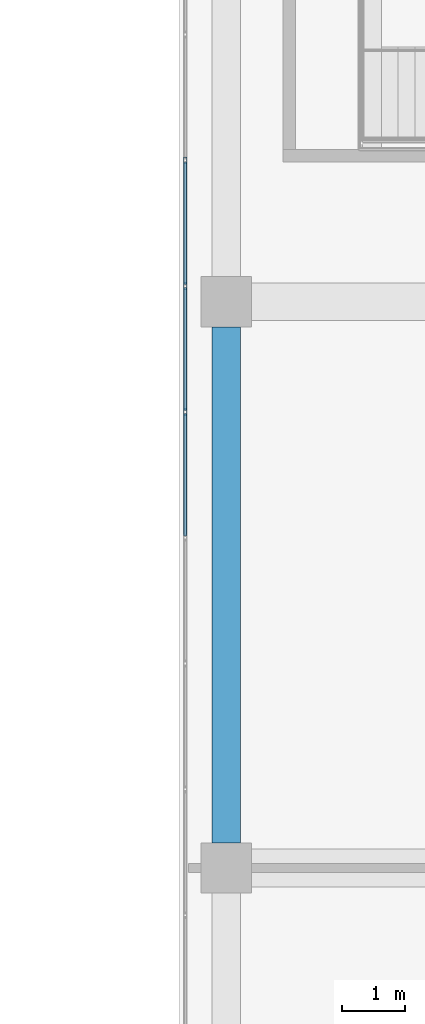
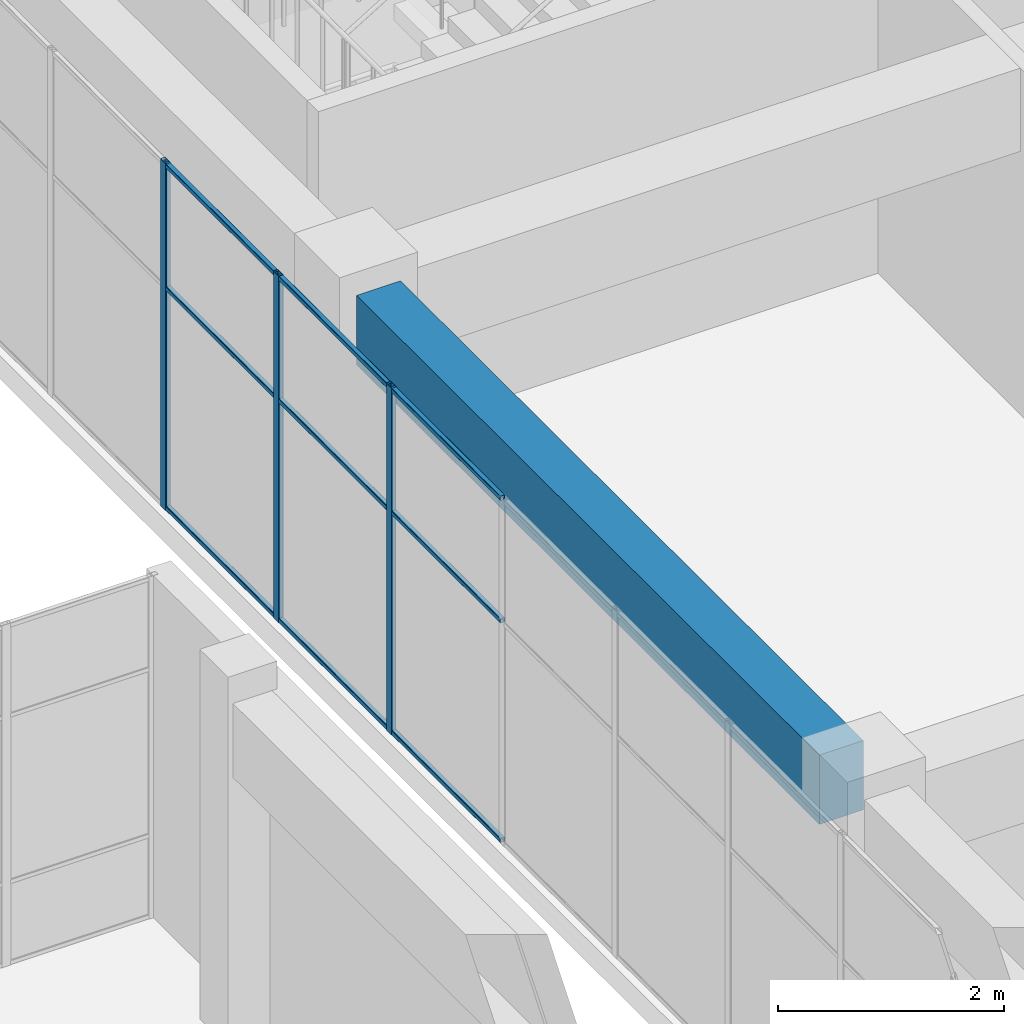
# One storey, part 27 of 65: 12 members, 1 beam, 1 element without a shape of its own.
"""IFC4 building model written with IfcOpenShell, lengths in metres."""

from ifc_helpers import new_model, si_unit, direction, frame, origin, origin_2d, place, context, subcontext, project, spatial, rectangle, hollow_rectangle, extrude, material, layer, layer_set, material_profile, profile_set, type_object, element, aggregate, save


model = new_model("IFC4")

# Units and contexts
model_context = context("Model", 3, precision=1e-05, world=origin(), true_north=direction((0.0, 1.0)))
body_context = subcontext(model_context, "Body", "Model", "MODEL_VIEW")
ifc_project = project(units=[si_unit("LENGTHUNIT", "METRE"), si_unit("AREAUNIT", "SQUARE_METRE"), si_unit("VOLUMEUNIT", "CUBIC_METRE"), si_unit("PLANEANGLEUNIT", "RADIAN"), si_unit("MASSUNIT", "GRAM", prefix="KILO")], contexts=[model_context])

# Site, building, storey
site_placement = place(None, origin())
site = spatial("IfcSite", under=ifc_project, at=site_placement, CompositionType="ELEMENT")
building_placement = place(site_placement, origin())
building = spatial("IfcBuilding", under=site, at=building_placement, Name="Tuart Plaza Theatre", CompositionType="ELEMENT")
storey_placement = place(building_placement, frame((0.0, 0.0, 9.5)))
storey = spatial("IfcBuildingStorey", under=building, at=storey_placement, Name="L02", CompositionType="ELEMENT", Elevation=9.5)

# Beam
ifc_material_1 = material(Name="Concrete N40 (40 MPa)", Category="concrete")
ifc_material_profile_1 = material_profile(ifc_material_1, rectangle(XDim=0.449951171875, YDim=0.75, at=origin_2d()), Name="BEAM 450x750 Concrete N40 (40 MPa)")
ifc_profile_set_1 = profile_set([ifc_material_profile_1], Name="Concrete N40 (40 MPa)")
beam_type = type_object("IfcBeamType", Name="BEAM 450x750 Concrete N40 (40 MPa)", PredefinedType="BEAM", material=ifc_profile_set_1)
beam_placement = place(storey_placement, frame((114.0, 74.39990234375, 3.375), z_axis=(0.0, 1.0, 0.0), x_axis=(-1.0, 0.0, 0.0)))
element("IfcBeam", 1, at=beam_placement, inside=storey, type_object=beam_type, Name="RB166", PredefinedType="BEAM", context=body_context, shape_type="SweptSolid", body=[
    extrude(rectangle(XDim=0.449951171875, YDim=0.75, at=origin_2d()), origin(), (0.0, 0.0, 1.0), 8.2001953125),
])

# Curtain wall, members
ifc_material_2 = material(Name="Aluminium and glass", Category="aluminium")
ifc_layer = layer(ifc_material_2, 0.10009765625)
ifc_layer_set = layer_set([ifc_layer], Name="CURTAIN WALL 2000 module")
curtain_wall_type = type_object("IfcCurtainWallType", Name="CURTAIN WALL 2000 module", PredefinedType="NOTDEFINED", material=ifc_layer_set)
curtain_wall_placement = place(storey_placement, origin())
curtain_wall = element("IfcCurtainWall", 2, at=curtain_wall_placement, inside=storey, type_object=curtain_wall_type, Name="CW73", PredefinedType="NOTDEFINED")
ifc_material_3 = material(Name="Aluminium 6063-T5", Category="aluminium")
ifc_material_profile_2 = material_profile(ifc_material_3, hollow_rectangle(XDim=0.050048828125, YDim=0.10009765625, WallThickness=0.00390625, InnerFilletRadius=0.00390625, OuterFilletRadius=0.008056640625, at=origin_2d()), Name="RHS 100x50x4")
ifc_profile_set_2 = profile_set([ifc_material_profile_2], Name="Aluminium 6063-T5")
member_type_1 = type_object("IfcMemberType", Name="MULLION RHS 100x50x4", PredefinedType="MULLION", material=ifc_profile_set_2)
member_1_placement = place(storey_placement, frame((113.35009765625, 85.25, 0.0), z_axis=(0.0, 0.0, 1.0), x_axis=(1.0, 0.0, 0.0)))
member_1 = element("IfcMember", 3, at=member_1_placement, type_object=member_type_1, Name="CW73 mullion 7", PredefinedType="MULLION", context=body_context, shape_type="SweptSolid", body=[
    extrude(hollow_rectangle(XDim=0.050048828125, YDim=0.10009765625, WallThickness=0.00390625, InnerFilletRadius=0.00390625, OuterFilletRadius=0.008056640625, at=origin_2d()), origin(), (0.0, 0.0, 1.0), 3.75),
])
member_2_placement = place(storey_placement, frame((113.35009765625, 83.25, 0.0), z_axis=(0.0, 0.0, 1.0), x_axis=(1.0, 0.0, 0.0)))
member_2 = element("IfcMember", 4, at=member_2_placement, type_object=member_type_1, Name="CW73 mullion 8", PredefinedType="MULLION", context=body_context, shape_type="SweptSolid", body=[
    extrude(hollow_rectangle(XDim=0.050048828125, YDim=0.10009765625, WallThickness=0.00390625, InnerFilletRadius=0.00390625, OuterFilletRadius=0.008056640625, at=origin_2d()), origin(), (0.0, 0.0, 1.0), 3.75),
])
member_3_placement = place(storey_placement, frame((113.35009765625, 81.25, 0.0), z_axis=(0.0, 0.0, 1.0), x_axis=(1.0, 0.0, 0.0)))
member_3 = element("IfcMember", 5, at=member_3_placement, type_object=member_type_1, Name="CW73 mullion 9", PredefinedType="MULLION", context=body_context, shape_type="SweptSolid", body=[
    extrude(hollow_rectangle(XDim=0.050048828125, YDim=0.10009765625, WallThickness=0.00390625, InnerFilletRadius=0.00390625, OuterFilletRadius=0.008056640625, at=origin_2d()), origin(), (0.0, 0.0, 1.0), 3.75),
])
ifc_material_4 = material(Name="Aluminium 6063-T5", Category="aluminium")
ifc_material_profile_3 = material_profile(ifc_material_4, hollow_rectangle(XDim=0.050048828125, YDim=0.050048828125, WallThickness=0.00390625, InnerFilletRadius=0.00390625, OuterFilletRadius=0.008056640625, at=origin_2d()), Name="RHS 50x50x4")
ifc_profile_set_3 = profile_set([ifc_material_profile_3], Name="Aluminium 6063-T5")
member_type_2 = type_object("IfcMemberType", Name="TRANSOM RHS 50x50x4", PredefinedType="USERDEFINED", material=ifc_profile_set_3)
member_4_placement = place(storey_placement, frame((113.35009765625, 85.22509765625, 0.02490234375), z_axis=(0.0, -1.0, 0.0), x_axis=(1.0, 0.0, 0.0)))
member_4 = element("IfcMember", 6, at=member_4_placement, type_object=member_type_2, Name="CW73 transom 7.1", ObjectType="TRANSOM", PredefinedType="USERDEFINED", context=body_context, shape_type="SweptSolid", body=[
    extrude(hollow_rectangle(XDim=0.050048828125, YDim=0.050048828125, WallThickness=0.00390625, InnerFilletRadius=0.00390625, OuterFilletRadius=0.008056640625, at=origin_2d()), origin(), (0.0, 0.0, 1.0), 1.9501953125),
])
member_5_placement = place(storey_placement, frame((113.35009765625, 85.22509765625, 2.39990234375), z_axis=(0.0, -1.0, 0.0), x_axis=(1.0, 0.0, 0.0)))
member_5 = element("IfcMember", 7, at=member_5_placement, type_object=member_type_2, Name="CW73 transom 7.2", ObjectType="TRANSOM", PredefinedType="USERDEFINED", context=body_context, shape_type="SweptSolid", body=[
    extrude(hollow_rectangle(XDim=0.050048828125, YDim=0.050048828125, WallThickness=0.00390625, InnerFilletRadius=0.00390625, OuterFilletRadius=0.008056640625, at=origin_2d()), origin(), (0.0, 0.0, 1.0), 1.9501953125),
])
member_6_placement = place(storey_placement, frame((113.35009765625, 85.22509765625, 3.72509765625), z_axis=(0.0, -1.0, 0.0), x_axis=(1.0, 0.0, 0.0)))
member_6 = element("IfcMember", 8, at=member_6_placement, type_object=member_type_2, Name="CW73 transom 7.3", ObjectType="TRANSOM", PredefinedType="USERDEFINED", context=body_context, shape_type="SweptSolid", body=[
    extrude(hollow_rectangle(XDim=0.050048828125, YDim=0.050048828125, WallThickness=0.00390625, InnerFilletRadius=0.00390625, OuterFilletRadius=0.008056640625, at=origin_2d()), origin(), (0.0, 0.0, 1.0), 1.9501953125),
])
member_7_placement = place(storey_placement, frame((113.35009765625, 83.22509765625, 0.02490234375), z_axis=(0.0, -1.0, 0.0), x_axis=(1.0, 0.0, 0.0)))
member_7 = element("IfcMember", 9, at=member_7_placement, type_object=member_type_2, Name="CW73 transom 8.1", ObjectType="TRANSOM", PredefinedType="USERDEFINED", context=body_context, shape_type="SweptSolid", body=[
    extrude(hollow_rectangle(XDim=0.050048828125, YDim=0.050048828125, WallThickness=0.00390625, InnerFilletRadius=0.00390625, OuterFilletRadius=0.008056640625, at=origin_2d()), origin(), (0.0, 0.0, 1.0), 1.9501953125),
])
member_8_placement = place(storey_placement, frame((113.35009765625, 83.22509765625, 2.39990234375), z_axis=(0.0, -1.0, 0.0), x_axis=(1.0, 0.0, 0.0)))
member_8 = element("IfcMember", 10, at=member_8_placement, type_object=member_type_2, Name="CW73 transom 8.2", ObjectType="TRANSOM", PredefinedType="USERDEFINED", context=body_context, shape_type="SweptSolid", body=[
    extrude(hollow_rectangle(XDim=0.050048828125, YDim=0.050048828125, WallThickness=0.00390625, InnerFilletRadius=0.00390625, OuterFilletRadius=0.008056640625, at=origin_2d()), origin(), (0.0, 0.0, 1.0), 1.9501953125),
])
member_9_placement = place(storey_placement, frame((113.35009765625, 83.22509765625, 3.72509765625), z_axis=(0.0, -1.0, 0.0), x_axis=(1.0, 0.0, 0.0)))
member_9 = element("IfcMember", 11, at=member_9_placement, type_object=member_type_2, Name="CW73 transom 8.3", ObjectType="TRANSOM", PredefinedType="USERDEFINED", context=body_context, shape_type="SweptSolid", body=[
    extrude(hollow_rectangle(XDim=0.050048828125, YDim=0.050048828125, WallThickness=0.00390625, InnerFilletRadius=0.00390625, OuterFilletRadius=0.008056640625, at=origin_2d()), origin(), (0.0, 0.0, 1.0), 1.9501953125),
])
member_10_placement = place(storey_placement, frame((113.35009765625, 81.22509765625, 0.02490234375), z_axis=(0.0, -1.0, 0.0), x_axis=(1.0, 0.0, 0.0)))
member_10 = element("IfcMember", 12, at=member_10_placement, type_object=member_type_2, Name="CW73 transom 9.1", ObjectType="TRANSOM", PredefinedType="USERDEFINED", context=body_context, shape_type="SweptSolid", body=[
    extrude(hollow_rectangle(XDim=0.050048828125, YDim=0.050048828125, WallThickness=0.00390625, InnerFilletRadius=0.00390625, OuterFilletRadius=0.008056640625, at=origin_2d()), origin(), (0.0, 0.0, 1.0), 1.9501953125),
])
member_11_placement = place(storey_placement, frame((113.35009765625, 81.22509765625, 2.39990234375), z_axis=(0.0, -1.0, 0.0), x_axis=(1.0, 0.0, 0.0)))
member_11 = element("IfcMember", 13, at=member_11_placement, type_object=member_type_2, Name="CW73 transom 9.2", ObjectType="TRANSOM", PredefinedType="USERDEFINED", context=body_context, shape_type="SweptSolid", body=[
    extrude(hollow_rectangle(XDim=0.050048828125, YDim=0.050048828125, WallThickness=0.00390625, InnerFilletRadius=0.00390625, OuterFilletRadius=0.008056640625, at=origin_2d()), origin(), (0.0, 0.0, 1.0), 1.9501953125),
])
member_12_placement = place(storey_placement, frame((113.35009765625, 81.22509765625, 3.72509765625), z_axis=(0.0, -1.0, 0.0), x_axis=(1.0, 0.0, 0.0)))
member_12 = element("IfcMember", 14, at=member_12_placement, type_object=member_type_2, Name="CW73 transom 9.3", ObjectType="TRANSOM", PredefinedType="USERDEFINED", context=body_context, shape_type="SweptSolid", body=[
    extrude(hollow_rectangle(XDim=0.050048828125, YDim=0.050048828125, WallThickness=0.00390625, InnerFilletRadius=0.00390625, OuterFilletRadius=0.008056640625, at=origin_2d()), origin(), (0.0, 0.0, 1.0), 1.9501953125),
])
aggregate(curtain_wall, [member_1, member_2, member_3, member_4, member_5, member_6, member_7, member_8, member_9, member_10, member_11, member_12])

save(model, "model.ifc")
